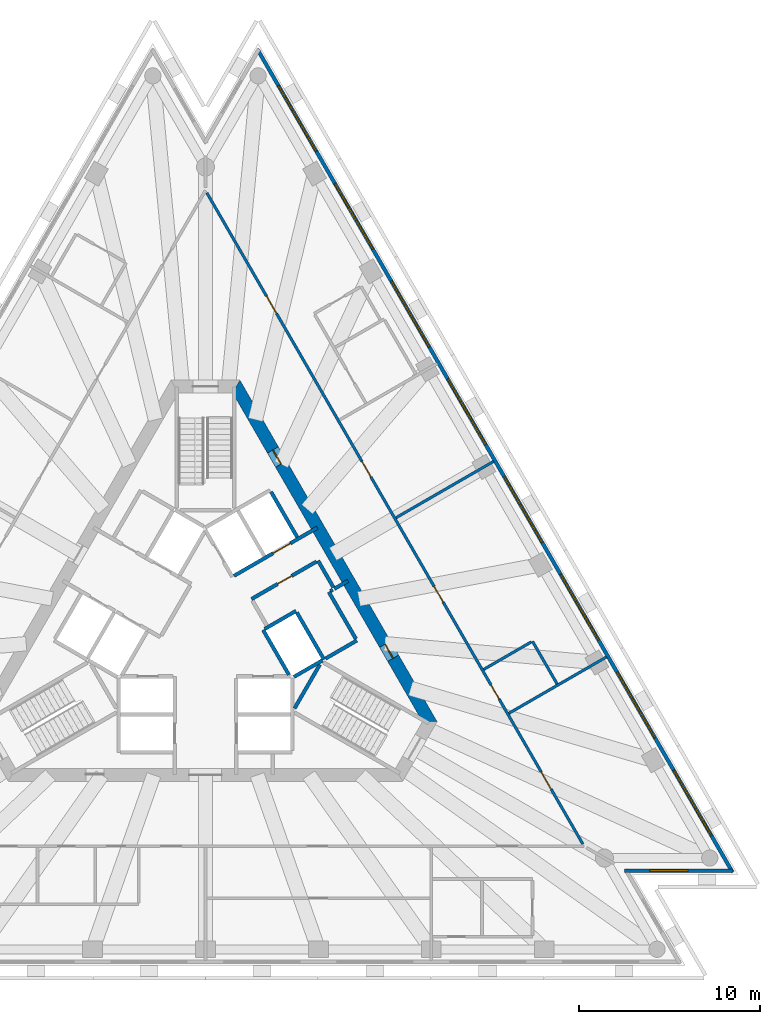
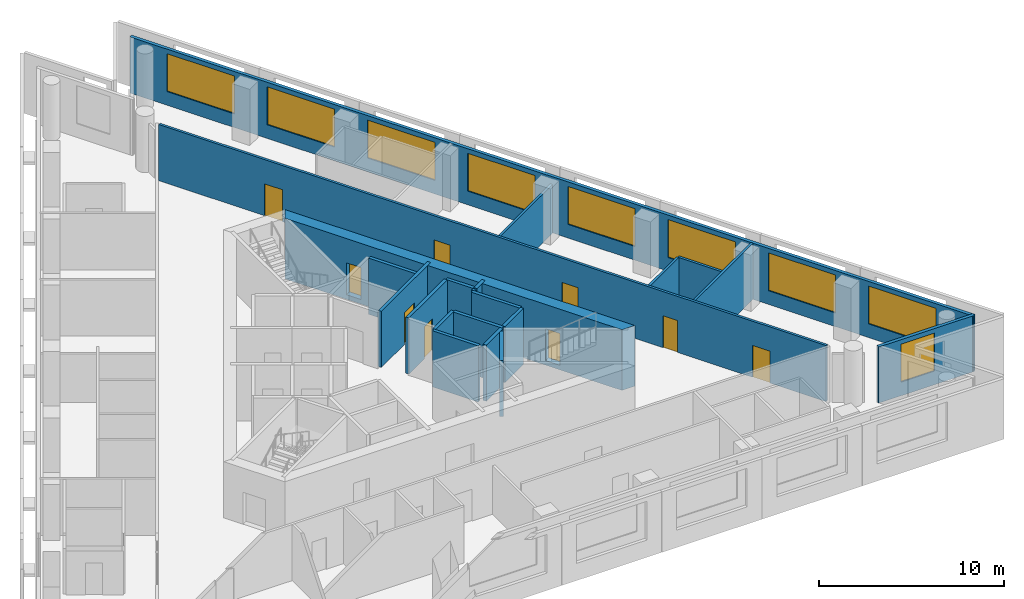
# One storey, part 6 of 10: 21 walls, 9 doors, 9 windows, 18 openings.
"""IFC4 building model written with IfcOpenShell, lengths in metres."""

from ifc_helpers import new_model, si_unit, direction, frame, frame_2d, origin, place, context, subcontext, project, spatial, polyline, rectangle, outline, extrude, material, layer, layer_set, layer_usage, type_object, element, fill, save


model = new_model("IFC4")

# Units and contexts
model_context = context("Model", 3, precision=1e-05, world=origin(), true_north=direction((0.0, 1.0)))
body_context = subcontext(model_context, "Body", "Model", "MODEL_VIEW")
ifc_project = project(units=[si_unit("LENGTHUNIT", "METRE"), si_unit("AREAUNIT", "SQUARE_METRE"), si_unit("VOLUMEUNIT", "CUBIC_METRE"), si_unit("PLANEANGLEUNIT", "RADIAN"), si_unit("MASSUNIT", "GRAM", prefix="KILO")], contexts=[model_context])

# Site, building, storey
site_placement = place(None, origin())
site = spatial("IfcSite", under=ifc_project, at=site_placement, CompositionType="ELEMENT")
building_placement = place(site_placement, origin())
building = spatial("IfcBuilding", under=site, at=building_placement, Name="Triada Interchange Tower", CompositionType="ELEMENT")
storey_placement = place(building_placement, frame((0.0, 0.0, 199.300048828125)))
storey = spatial("IfcBuildingStorey", under=building, at=storey_placement, Name="L46", CompositionType="ELEMENT", Elevation=199.300048828125)

# Wall
ifc_material_1 = material(Name="Concrete C30/37", Category="concrete")
ifc_layer_1 = layer(ifc_material_1, 0.199951171875)
ifc_layer_set_1 = layer_set([ifc_layer_1], Name="CORE WALL 200 EI 120")
wall_type_1 = type_object("IfcWallType", Name="CORE WALL 200 EI 120", PredefinedType="SOLIDWALL", material=ifc_layer_set_1)
wall_1_placement = place(storey_placement, frame((3.18994140625, -0.125, 0.0), z_axis=(0.0, 0.0, 1.0), x_axis=(0.499988658015, -0.866031951983, 0.0)))
element("IfcWall", 1, at=wall_1_placement, inside=storey, type_object=wall_type_1, Name="Wall L44 56", PredefinedType="SOLIDWALL", context=body_context, shape_type="SweptSolid", body=[
    extrude(rectangle(XDim=2.85791015625, YDim=0.199951171875, at=frame_2d((1.428955078125, 0.0))), origin(), (0.0, 0.0, 1.0), 3.699951171875),
])

# Wall, opening, door
wall_2_placement = place(storey_placement, frame((1.577880859375, 2.8740234375, 0.0), z_axis=(0.0, 0.0, 1.0), x_axis=(0.866045911672, 0.499964477614, 0.0)))
wall_2 = element("IfcWall", 2, at=wall_2_placement, inside=storey, type_object=wall_type_1, Name="Wall L44 57", PredefinedType="SOLIDWALL", context=body_context, shape_type="SweptSolid", body=[
    extrude(rectangle(XDim=5.32666015625, YDim=0.199951171875, at=frame_2d((2.663330078125, 0.0))), origin(), (0.0, 0.0, 1.0), 3.699951171875),
])
opening_1_placement = place(wall_2_placement, frame((2.49609375, 0.0, 0.0)))
opening_1 = element("IfcOpeningElement", 3, at=opening_1_placement, cuts=wall_2, Name="Opening LD-HR6", PredefinedType="OPENING", context=body_context, shape_type="SweptSolid", body=[
    extrude(rectangle(XDim=1.10009765625, YDim=2.10009765625, at=frame_2d((0.550048828125, 1.050048828125))), frame((0.0, 0.10986328125, 0.0), z_axis=(0.0, -1.0, 0.0), x_axis=(1.0, 0.0, 0.0)), (0.0, 0.0, 1.0), 0.219970703125),
])
ifc_material_2 = material(Name="Steel S235 door leaf", Category="steel")
door_type_1 = type_object("IfcDoorType", Name="LIFT LANDING DOOR 1100 EI 120", OperationType="SLIDING_TO_LEFT", PredefinedType="DOOR", material=ifc_material_2)
door_1_placement = place(opening_1_placement, origin())
door_1 = element("IfcDoor", 4, at=door_1_placement, inside=storey, type_object=door_type_1, Name="HR6 landing door L46", OperationType="SLIDING_TO_LEFT", OverallHeight=2.10009765625, OverallWidth=1.10009765625, PredefinedType="DOOR", context=body_context, shape_type="SweptSolid", body=[
    extrude(rectangle(XDim=1.10009765625, YDim=2.10009765625, at=frame_2d((0.550048828125, 1.050048828125))), frame((0.0, 0.02490234375, 0.0), z_axis=(0.0, -1.0, 0.0), x_axis=(1.0, 0.0, 0.0)), (0.0, 0.0, 1.0), 0.050048828125),
])
fill(opening_1, door_1)

# Walls
wall_3_placement = place(storey_placement, frame((3.278076171875, -0.071044921875, 0.0), z_axis=(0.0, 0.0, 1.0), x_axis=(0.865855657918, 0.500293893279, 0.0)))
element("IfcWall", 5, at=wall_3_placement, inside=storey, type_object=wall_type_1, Name="Wall L44 60", PredefinedType="SOLIDWALL", context=body_context, shape_type="SweptSolid", body=[
    extrude(rectangle(XDim=1.996826171875, YDim=0.199951171875, at=frame_2d((0.99853515625, 0.0))), origin(), (0.0, 0.0, 1.0), 3.699951171875),
])
wall_4_placement = place(storey_placement, frame((7.12890625, 2.153076171875, 0.0), z_axis=(0.0, 0.0, 1.0), x_axis=(0.866083962871, 0.499898558967, 0.0)))
element("IfcWall", 6, at=wall_4_placement, inside=storey, type_object=wall_type_1, Name="Wall L44 61", PredefinedType="SOLIDWALL", context=body_context, shape_type="SweptSolid", body=[
    extrude(rectangle(XDim=0.880126953125, YDim=0.199951171875, at=frame_2d((0.43994140625, 0.0))), origin(), (0.0, 0.0, 1.0), 3.699951171875),
])
wall_5_placement = place(storey_placement, frame((3.6259765625, 7.52001953125, 0.0), z_axis=(0.0, 0.0, 1.0), x_axis=(0.500060147554, -0.865990674793, 0.0)))
element("IfcWall", 7, at=wall_5_placement, inside=storey, type_object=wall_type_1, Name="Wall L44 62", PredefinedType="SOLIDWALL", context=body_context, shape_type="SweptSolid", body=[
    extrude(rectangle(XDim=2.899658203125, YDim=0.199951171875, at=frame_2d((1.44970703125, 0.0))), origin(), (0.0, 0.0, 1.0), 3.699951171875),
])
wall_6_placement = place(storey_placement, frame((5.056884765625, 0.841064453125, 0.0), z_axis=(0.0, 0.0, 1.0), x_axis=(0.499990139034, -0.866031096941, 0.0)))
element("IfcWall", 8, at=wall_6_placement, inside=storey, type_object=wall_type_1, Name="Wall L44 64", PredefinedType="SOLIDWALL", context=body_context, shape_type="SweptSolid", body=[
    extrude(rectangle(XDim=3.0, YDim=0.199951171875, at=frame_2d((1.5, 0.0))), origin(), (0.0, 0.0, 1.0), 3.699951171875),
])
wall_7_placement = place(storey_placement, frame((4.89990234375, -2.714111328125, 0.0), z_axis=(0.0, 0.0, 1.0), x_axis=(0.865846928409, 0.500309001083, 0.0)))
element("IfcWall", 9, at=wall_7_placement, inside=storey, type_object=wall_type_1, Name="Wall L44 65", PredefinedType="SOLIDWALL", context=body_context, shape_type="SweptSolid", body=[
    extrude(rectangle(XDim=1.813232421875, YDim=0.199951171875, at=frame_2d((0.90673828125, 0.0))), origin(), (0.0, 0.0, 1.0), 3.699951171875),
])
wall_8_placement = place(storey_placement, frame((6.22900390625, 3.7119140625, 0.0), z_axis=(0.0, 0.0, 1.0), x_axis=(0.499875724984, -0.86609714211, 0.0)))
element("IfcWall", 10, at=wall_8_placement, inside=storey, type_object=wall_type_1, Name="Wall L44 66", PredefinedType="SOLIDWALL", context=body_context, shape_type="SweptSolid", body=[
    extrude(rectangle(XDim=1.70068359375, YDim=0.199951171875, at=frame_2d((0.850341796875, 0.0))), origin(), (0.0, 0.0, 1.0), 3.699951171875),
])

# Wall, opening, door
wall_9_placement = place(storey_placement, frame((2.548095703125, 1.5869140625, 0.0), z_axis=(0.0, 0.0, 1.0), x_axis=(0.866004344652, 0.500036473714, 0.0)))
wall_9 = element("IfcWall", 11, at=wall_9_placement, inside=storey, type_object=wall_type_1, Name="Wall L44 67", PredefinedType="SOLIDWALL", context=body_context, shape_type="SweptSolid", body=[
    extrude(rectangle(XDim=4.150146484375, YDim=0.199951171875, at=frame_2d((2.0751953125, 0.0))), origin(), (0.0, 0.0, 1.0), 3.699951171875),
])
opening_2_placement = place(wall_9_placement, frame((1.675048828125, 0.0, 0.0)))
opening_2 = element("IfcOpeningElement", 12, at=opening_2_placement, cuts=wall_9, Name="Opening D44-47", PredefinedType="OPENING", context=body_context, shape_type="SweptSolid", body=[
    extrude(rectangle(XDim=0.89990234375, YDim=2.10009765625, at=frame_2d((0.449951171875, 1.050048828125))), frame((0.0, 0.10986328125, 0.0), z_axis=(0.0, -1.0, 0.0), x_axis=(1.0, 0.0, 0.0)), (0.0, 0.0, 1.0), 0.219970703125),
])
door_type_2 = type_object("IfcDoorType", Name="SERVICE DOOR 900 EI2 45-C5S200", OperationType="NOTDEFINED", PredefinedType="DOOR", material=ifc_material_2)
door_2_placement = place(opening_2_placement, origin())
door_2 = element("IfcDoor", 13, at=door_2_placement, inside=storey, type_object=door_type_2, Name="Door D44-47 L46", OperationType="SINGLE_SWING_RIGHT", OverallHeight=2.10009765625, OverallWidth=0.89990234375, PredefinedType="DOOR", context=body_context, shape_type="SweptSolid", body=[
    extrude(rectangle(XDim=0.89990234375, YDim=2.10009765625, at=frame_2d((0.449951171875, 1.050048828125))), frame((0.0, 0.02490234375, 0.0), z_axis=(0.0, -1.0, 0.0), x_axis=(1.0, 0.0, 0.0)), (0.0, 0.0, 1.0), 0.050048828125),
])
fill(opening_2, door_2)

# Walls
ifc_layer_2 = layer(ifc_material_1, 0.199951171875)
ifc_layer_set_2 = layer_set([ifc_layer_2], Name="CORE WALL 200 EI 90")
wall_type_2 = type_object("IfcWallType", Name="CORE WALL 200 EI 90", PredefinedType="SOLIDWALL", material=ifc_layer_set_2)
wall_10_placement = place(storey_placement, frame((6.64208984375, -1.7080078125, 0.0), z_axis=(0.0, 0.0, 1.0), x_axis=(0.866043441391, 0.499968756647, 0.0)))
element("IfcWall", 14, at=wall_10_placement, inside=storey, type_object=wall_type_2, Name="Wall L44 85", PredefinedType="SOLIDWALL", context=body_context, shape_type="SweptSolid", body=[
    extrude(rectangle(XDim=2.002197265625, YDim=0.199951171875, at=frame_2d((1.0009765625, 0.0))), origin(), (0.0, 0.0, 1.0), 3.699951171875),
])
wall_11_placement = place(storey_placement, frame((6.825927734375, 1.97802734375, 0.0), z_axis=(0.0, 0.0, 1.0), x_axis=(0.499990139034, -0.866031096941, 0.0)))
element("IfcWall", 15, at=wall_11_placement, inside=storey, type_object=wall_type_2, Name="Wall L44 86", PredefinedType="SOLIDWALL", context=body_context, shape_type="SweptSolid", body=[
    extrude(rectangle(XDim=3.0, YDim=0.199951171875, at=frame_2d((1.5, 0.0))), origin(), (0.0, 0.0, 1.0), 3.699951171875),
])
wall_12_placement = place(storey_placement, frame((6.912109375, 2.028076171875, 0.0), z_axis=(0.0, 0.0, 1.0), x_axis=(0.866559367082, 0.499074005857, 0.0)))
element("IfcWall", 16, at=wall_12_placement, inside=storey, type_object=wall_type_2, Name="Wall L44 87", PredefinedType="SOLIDWALL", context=body_context, shape_type="SweptSolid", body=[
    extrude(rectangle(XDim=0.152099609375, YDim=0.199951171875, at=frame_2d((0.076171875, 0.0))), origin(), (0.0, 0.0, 1.0), 3.699951171875),
])
ifc_layer_3 = layer(ifc_material_1, 0.199951171875)
ifc_layer_set_3 = layer_set([ifc_layer_3], Name="CORE WALL 200 REI 240")
wall_type_3 = type_object("IfcWallType", Name="CORE WALL 200 REI 240", PredefinedType="SOLIDWALL", material=ifc_layer_set_3)
wall_13_placement = place(storey_placement, frame((4.928955078125, -4.4619140625, 0.0), z_axis=(0.0, 0.0, 1.0), x_axis=(0.500200581029, 0.865909567298, 0.0)))
element("IfcWall", 17, at=wall_13_placement, inside=storey, type_object=wall_type_3, Name="Wall L44 95", PredefinedType="SOLIDWALL", context=body_context, shape_type="SweptSolid", body=[
    extrude(rectangle(XDim=2.799072265625, YDim=0.199951171875, at=frame_2d((1.3994140625, 0.0))), origin(), (0.0, 0.0, 1.0), 3.699951171875),
])

# Wall, openings, doors
ifc_material_3 = material(Name="Concrete C50/60", Category="concrete")
ifc_layer_4 = layer(ifc_material_3, 0.699951171875)
ifc_layer_set_4 = layer_set([ifc_layer_4], Name="Core wall C 700")
wall_type_4 = type_object("IfcWallType", Name="Core wall C 700", PredefinedType="SHEAR", material=ifc_layer_set_4)
wall_14_placement = place(storey_placement, frame((12.4130859375, -5.199951171875, -0.300048828125), z_axis=(0.0, 0.0, 1.0), x_axis=(-0.500011533395, 0.866018744874, 0.0)))
wall_14 = element("IfcWall", 18, at=wall_14_placement, inside=storey, type_object=wall_type_4, Name="Core wall WC06 L46", PredefinedType="SHEAR", context=body_context, shape_type="SweptSolid", body=[
    extrude(outline(polyline([(-0.201904296875, -0.35009765625), (1.781982421875, -0.35009765625), (3.76611328125, -0.35009765625), (5.75, -0.35009765625), (7.734130859375, -0.35009765625), (9.718017578125, -0.35009765625), (11.7021484375, -0.35009765625), (13.68603515625, -0.35009765625), (15.670166015625, -0.35009765625), (17.654052734375, -0.35009765625), (19.63818359375, -0.35009765625), (21.6220703125, -0.35009765625), (21.218017578125, 0.35009765625), (19.307373046875, 0.35009765625), (17.39697265625, 0.35009765625), (15.486328125, 0.35009765625), (13.57568359375, 0.35009765625), (11.665283203125, 0.35009765625), (9.754638671875, 0.35009765625), (7.84423828125, 0.35009765625), (5.93359375, 0.35009765625), (4.02294921875, 0.35009765625), (2.112548828125, 0.35009765625), (0.201904296875, 0.35009765625), (-0.201904296875, -0.35009765625)])), origin(), (0.0, 0.0, 1.0), 4.0),
])
opening_3_placement = place(wall_14_placement, frame((4.054931640625, 0.0, 0.300048828125)))
opening_3 = element("IfcOpeningElement", 19, at=opening_3_placement, cuts=wall_14, Name="Opening D44-45", PredefinedType="OPENING", context=body_context, shape_type="SweptSolid", body=[
    extrude(rectangle(XDim=0.89990234375, YDim=2.10009765625, at=frame_2d((0.449951171875, 1.050048828125))), frame((0.0, 0.360107421875, 0.0), z_axis=(0.0, -1.0, 0.0), x_axis=(1.0, 0.0, 0.0)), (0.0, 0.0, 1.0), 0.72021484375),
])
opening_4_placement = place(wall_14_placement, frame((16.465087890625, 0.0, 0.300048828125)))
opening_4 = element("IfcOpeningElement", 20, at=opening_4_placement, cuts=wall_14, Name="Opening D44-46", PredefinedType="OPENING", context=body_context, shape_type="SweptSolid", body=[
    extrude(rectangle(XDim=0.89990234375, YDim=2.10009765625, at=frame_2d((0.449951171875, 1.050048828125))), frame((0.0, 0.360107421875, 0.0), z_axis=(0.0, -1.0, 0.0), x_axis=(1.0, 0.0, 0.0)), (0.0, 0.0, 1.0), 0.72021484375),
])
door_type_3 = type_object("IfcDoorType", Name="RISER ACCESS DOOR 900 EI2 45-C5S200", OperationType="NOTDEFINED", PredefinedType="DOOR", material=ifc_material_2)
door_3_placement = place(opening_4_placement, origin())
door_3 = element("IfcDoor", 21, at=door_3_placement, inside=storey, type_object=door_type_3, Name="Door D44-46 L46", OperationType="SINGLE_SWING_RIGHT", OverallHeight=2.10009765625, OverallWidth=0.89990234375, PredefinedType="DOOR", context=body_context, shape_type="SweptSolid", body=[
    extrude(rectangle(XDim=0.89990234375, YDim=2.10009765625, at=frame_2d((0.449951171875, 1.050048828125))), frame((0.0, 0.02490234375, 0.0), z_axis=(0.0, -1.0, 0.0), x_axis=(1.0, 0.0, 0.0)), (0.0, 0.0, 1.0), 0.050048828125),
])
fill(opening_4, door_3)
door_4_placement = place(opening_3_placement, origin())
door_4 = element("IfcDoor", 22, at=door_4_placement, inside=storey, type_object=door_type_2, Name="Door D44-45 L46", OperationType="SINGLE_SWING_RIGHT", OverallHeight=2.10009765625, OverallWidth=0.89990234375, PredefinedType="DOOR", context=body_context, shape_type="SweptSolid", body=[
    extrude(rectangle(XDim=0.89990234375, YDim=2.10009765625, at=frame_2d((0.449951171875, 1.050048828125))), frame((0.0, 0.02490234375, 0.0), z_axis=(0.0, -1.0, 0.0), x_axis=(1.0, 0.0, 0.0)), (0.0, 0.0, 1.0), 0.050048828125),
])
fill(opening_3, door_4)

# Wall, opening, window
ifc_material_4 = material(Name="Cement board")
ifc_layer_5 = layer(ifc_material_4, 0.02001953125, Name="Cement board cladding")
ifc_material_5 = material(Name="Sheathing board")
ifc_layer_6 = layer(ifc_material_5, 0.014892578125, Name="Sheathing board")
ifc_material_6 = material(Name="Mineral wool")
ifc_layer_7 = layer(ifc_material_6, 0.14990234375, Name="Mineral wool between steel studs")
ifc_material_7 = material(Name="Gypsum board")
ifc_layer_8 = layer(ifc_material_7, 0.014892578125, Name="Plasterboard lining")
ifc_layer_set_5 = layer_set([ifc_layer_5, ifc_layer_6, ifc_layer_7, ifc_layer_8], Name="External wall 200")
ifc_layer_usage = layer_usage(ifc_layer_set_5, "AXIS2", "POSITIVE", -0.10009765625)
wall_type_5 = type_object("IfcWallType", Name="External wall 200", PredefinedType="ELEMENTEDWALL", material=ifc_layer_set_5)
wall_15_placement = place(storey_placement, frame((23.201904296875, -13.447021484375, 0.0), z_axis=(0.0, 0.0, 1.0), x_axis=(1.0, 0.0, 0.0)))
wall_15 = element("IfcWall", 23, at=wall_15_placement, inside=storey, type_object=wall_type_5, material=ifc_layer_usage, Name="External wall L46 SE-2", PredefinedType="ELEMENTEDWALL", context=body_context, shape_type="SweptSolid", body=[
    extrude(rectangle(XDim=5.988037109375, YDim=0.199951171875, at=frame_2d((2.994140625, 0.0))), origin(), (0.0, 0.0, 1.0), 3.699951171875),
])
opening_5_placement = place(wall_15_placement, frame((1.389892578125, 0.0, 0.89990234375)))
opening_5 = element("IfcOpeningElement", 24, at=opening_5_placement, cuts=wall_15, Name="Opening WC20", PredefinedType="OPENING", context=body_context, shape_type="SweptSolid", body=[
    extrude(rectangle(XDim=2.10009765625, YDim=2.5, at=frame_2d((1.050048828125, 1.25))), frame((0.0, 0.10986328125, 0.0), z_axis=(0.0, -1.0, 0.0), x_axis=(1.0, 0.0, 0.0)), (0.0, 0.0, 1.0), 0.219970703125),
])
ifc_material_8 = material(Name="Double glazed aluminium window", Category="aluminium")
window_type_1 = type_object("IfcWindowType", Name="Ribbon window C pocket", PartitioningType="SINGLE_PANEL", PredefinedType="WINDOW", material=ifc_material_8)
window_1_placement = place(opening_5_placement, origin())
window_1 = element("IfcWindow", 25, at=window_1_placement, inside=storey, type_object=window_type_1, Name="Window L46 SE-2 1", OverallHeight=2.5, OverallWidth=2.10009765625, PartitioningType="SINGLE_PANEL", PredefinedType="WINDOW", context=body_context, shape_type="SweptSolid", body=[
    extrude(rectangle(XDim=2.10009765625, YDim=2.5, at=frame_2d((1.050048828125, 1.25))), frame((0.0, 0.030029296875, 0.0), z_axis=(0.0, -1.0, 0.0), x_axis=(1.0, 0.0, 0.0)), (0.0, 0.0, 1.0), 0.06005859375),
])
fill(opening_5, window_1)

# Wall, openings, windows
wall_16_placement = place(storey_placement, frame((29.1650390625, -13.52490234375, 0.0), z_axis=(0.0, 0.0, 1.0), x_axis=(-0.500008941164, 0.86602024154, 0.0)))
wall_16 = element("IfcWall", 26, at=wall_16_placement, inside=storey, type_object=wall_type_5, material=ifc_layer_usage, Name="External wall L46 NE", PredefinedType="ELEMENTEDWALL", context=body_context, shape_type="SweptSolid", body=[
    extrude(rectangle(XDim=52.5712890625, YDim=0.199951171875, at=frame_2d((26.28564453125, 0.0))), origin(), (0.0, 0.0, 1.0), 3.699951171875),
])
opening_6_placement = place(wall_16_placement, frame((2.326904296875, 0.0, 0.89990234375)))
opening_6 = element("IfcOpeningElement", 27, at=opening_6_placement, cuts=wall_16, Name="Opening WC21", PredefinedType="OPENING", context=body_context, shape_type="SweptSolid", body=[
    extrude(rectangle(XDim=4.199951171875, YDim=2.5, at=frame_2d((2.10009765625, 1.25))), frame((0.0, 0.10986328125, 0.0), z_axis=(0.0, -1.0, 0.0), x_axis=(1.0, 0.0, 0.0)), (0.0, 0.0, 1.0), 0.219970703125),
])
opening_7_placement = place(wall_16_placement, frame((8.574951171875, 0.0, 0.89990234375)))
opening_7 = element("IfcOpeningElement", 28, at=opening_7_placement, cuts=wall_16, Name="Opening WC22", PredefinedType="OPENING", context=body_context, shape_type="SweptSolid", body=[
    extrude(rectangle(XDim=4.199951171875, YDim=2.5, at=frame_2d((2.10009765625, 1.25))), frame((0.0, 0.10986328125, 0.0), z_axis=(0.0, -1.0, 0.0), x_axis=(1.0, 0.0, 0.0)), (0.0, 0.0, 1.0), 0.219970703125),
])
opening_8_placement = place(wall_16_placement, frame((14.822998046875, 0.0, 0.89990234375)))
opening_8 = element("IfcOpeningElement", 29, at=opening_8_placement, cuts=wall_16, Name="Opening WC23", PredefinedType="OPENING", context=body_context, shape_type="SweptSolid", body=[
    extrude(rectangle(XDim=4.199951171875, YDim=2.5, at=frame_2d((2.10009765625, 1.25))), frame((0.0, 0.10986328125, 0.0), z_axis=(0.0, -1.0, 0.0), x_axis=(1.0, 0.0, 0.0)), (0.0, 0.0, 1.0), 0.219970703125),
])
opening_9_placement = place(wall_16_placement, frame((21.072021484375, 0.0, 0.89990234375)))
opening_9 = element("IfcOpeningElement", 30, at=opening_9_placement, cuts=wall_16, Name="Opening WC24", PredefinedType="OPENING", context=body_context, shape_type="SweptSolid", body=[
    extrude(rectangle(XDim=4.199951171875, YDim=2.5, at=frame_2d((2.10009765625, 1.25))), frame((0.0, 0.10986328125, 0.0), z_axis=(0.0, -1.0, 0.0), x_axis=(1.0, 0.0, 0.0)), (0.0, 0.0, 1.0), 0.219970703125),
])
opening_10_placement = place(wall_16_placement, frame((27.320068359375, 0.0, 0.89990234375)))
opening_10 = element("IfcOpeningElement", 31, at=opening_10_placement, cuts=wall_16, Name="Opening WC25", PredefinedType="OPENING", context=body_context, shape_type="SweptSolid", body=[
    extrude(rectangle(XDim=4.199951171875, YDim=2.5, at=frame_2d((2.10009765625, 1.25))), frame((0.0, 0.10986328125, 0.0), z_axis=(0.0, -1.0, 0.0), x_axis=(1.0, 0.0, 0.0)), (0.0, 0.0, 1.0), 0.219970703125),
])
opening_11_placement = place(wall_16_placement, frame((33.568115234375, 0.0, 0.89990234375)))
opening_11 = element("IfcOpeningElement", 32, at=opening_11_placement, cuts=wall_16, Name="Opening WC26", PredefinedType="OPENING", context=body_context, shape_type="SweptSolid", body=[
    extrude(rectangle(XDim=4.199951171875, YDim=2.5, at=frame_2d((2.10009765625, 1.25))), frame((0.0, 0.10986328125, 0.0), z_axis=(0.0, -1.0, 0.0), x_axis=(1.0, 0.0, 0.0)), (0.0, 0.0, 1.0), 0.219970703125),
])
opening_12_placement = place(wall_16_placement, frame((39.81591796875, 0.0, 0.89990234375)))
opening_12 = element("IfcOpeningElement", 33, at=opening_12_placement, cuts=wall_16, Name="Opening WC27", PredefinedType="OPENING", context=body_context, shape_type="SweptSolid", body=[
    extrude(rectangle(XDim=4.199951171875, YDim=2.5, at=frame_2d((2.10009765625, 1.25))), frame((0.0, 0.10986328125, 0.0), z_axis=(0.0, -1.0, 0.0), x_axis=(1.0, 0.0, 0.0)), (0.0, 0.0, 1.0), 0.219970703125),
])
opening_13_placement = place(wall_16_placement, frame((46.06396484375, 0.0, 0.89990234375)))
opening_13 = element("IfcOpeningElement", 34, at=opening_13_placement, cuts=wall_16, Name="Opening WC28", PredefinedType="OPENING", context=body_context, shape_type="SweptSolid", body=[
    extrude(rectangle(XDim=4.199951171875, YDim=2.5, at=frame_2d((2.10009765625, 1.25))), frame((0.0, 0.10986328125, 0.0), z_axis=(0.0, -1.0, 0.0), x_axis=(1.0, 0.0, 0.0)), (0.0, 0.0, 1.0), 0.219970703125),
])
window_type_2 = type_object("IfcWindowType", Name="Ribbon window C face", PartitioningType="SINGLE_PANEL", PredefinedType="WINDOW", material=ifc_material_8)
window_2_placement = place(opening_6_placement, origin())
window_2 = element("IfcWindow", 35, at=window_2_placement, inside=storey, type_object=window_type_2, Name="Window L46 NE 1", OverallHeight=2.5, OverallWidth=4.199951171875, PartitioningType="SINGLE_PANEL", PredefinedType="WINDOW", context=body_context, shape_type="SweptSolid", body=[
    extrude(rectangle(XDim=4.199951171875, YDim=2.5, at=frame_2d((2.10009765625, 1.25))), frame((0.0, 0.030029296875, 0.0), z_axis=(0.0, -1.0, 0.0), x_axis=(1.0, 0.0, 0.0)), (0.0, 0.0, 1.0), 0.06005859375),
])
fill(opening_6, window_2)
window_3_placement = place(opening_7_placement, origin())
window_3 = element("IfcWindow", 36, at=window_3_placement, inside=storey, type_object=window_type_2, Name="Window L46 NE 2", OverallHeight=2.5, OverallWidth=4.199951171875, PartitioningType="SINGLE_PANEL", PredefinedType="WINDOW", context=body_context, shape_type="SweptSolid", body=[
    extrude(rectangle(XDim=4.199951171875, YDim=2.5, at=frame_2d((2.10009765625, 1.25))), frame((0.0, 0.030029296875, 0.0), z_axis=(0.0, -1.0, 0.0), x_axis=(1.0, 0.0, 0.0)), (0.0, 0.0, 1.0), 0.06005859375),
])
fill(opening_7, window_3)
window_4_placement = place(opening_8_placement, origin())
window_4 = element("IfcWindow", 37, at=window_4_placement, inside=storey, type_object=window_type_2, Name="Window L46 NE 3", OverallHeight=2.5, OverallWidth=4.199951171875, PartitioningType="SINGLE_PANEL", PredefinedType="WINDOW", context=body_context, shape_type="SweptSolid", body=[
    extrude(rectangle(XDim=4.199951171875, YDim=2.5, at=frame_2d((2.10009765625, 1.25))), frame((0.0, 0.030029296875, 0.0), z_axis=(0.0, -1.0, 0.0), x_axis=(1.0, 0.0, 0.0)), (0.0, 0.0, 1.0), 0.06005859375),
])
fill(opening_8, window_4)
window_5_placement = place(opening_9_placement, origin())
window_5 = element("IfcWindow", 38, at=window_5_placement, inside=storey, type_object=window_type_2, Name="Window L46 NE 4", OverallHeight=2.5, OverallWidth=4.199951171875, PartitioningType="SINGLE_PANEL", PredefinedType="WINDOW", context=body_context, shape_type="SweptSolid", body=[
    extrude(rectangle(XDim=4.199951171875, YDim=2.5, at=frame_2d((2.10009765625, 1.25))), frame((0.0, 0.030029296875, 0.0), z_axis=(0.0, -1.0, 0.0), x_axis=(1.0, 0.0, 0.0)), (0.0, 0.0, 1.0), 0.06005859375),
])
fill(opening_9, window_5)
window_6_placement = place(opening_10_placement, origin())
window_6 = element("IfcWindow", 39, at=window_6_placement, inside=storey, type_object=window_type_2, Name="Window L46 NE 5", OverallHeight=2.5, OverallWidth=4.199951171875, PartitioningType="SINGLE_PANEL", PredefinedType="WINDOW", context=body_context, shape_type="SweptSolid", body=[
    extrude(rectangle(XDim=4.199951171875, YDim=2.5, at=frame_2d((2.10009765625, 1.25))), frame((0.0, 0.030029296875, 0.0), z_axis=(0.0, -1.0, 0.0), x_axis=(1.0, 0.0, 0.0)), (0.0, 0.0, 1.0), 0.06005859375),
])
fill(opening_10, window_6)
window_7_placement = place(opening_11_placement, origin())
window_7 = element("IfcWindow", 40, at=window_7_placement, inside=storey, type_object=window_type_2, Name="Window L46 NE 6", OverallHeight=2.5, OverallWidth=4.199951171875, PartitioningType="SINGLE_PANEL", PredefinedType="WINDOW", context=body_context, shape_type="SweptSolid", body=[
    extrude(rectangle(XDim=4.199951171875, YDim=2.5, at=frame_2d((2.10009765625, 1.25))), frame((0.0, 0.030029296875, 0.0), z_axis=(0.0, -1.0, 0.0), x_axis=(1.0, 0.0, 0.0)), (0.0, 0.0, 1.0), 0.06005859375),
])
fill(opening_11, window_7)
window_8_placement = place(opening_12_placement, origin())
window_8 = element("IfcWindow", 41, at=window_8_placement, inside=storey, type_object=window_type_2, Name="Window L46 NE 7", OverallHeight=2.5, OverallWidth=4.199951171875, PartitioningType="SINGLE_PANEL", PredefinedType="WINDOW", context=body_context, shape_type="SweptSolid", body=[
    extrude(rectangle(XDim=4.199951171875, YDim=2.5, at=frame_2d((2.10009765625, 1.25))), frame((0.0, 0.030029296875, 0.0), z_axis=(0.0, -1.0, 0.0), x_axis=(1.0, 0.0, 0.0)), (0.0, 0.0, 1.0), 0.06005859375),
])
fill(opening_12, window_8)
window_9_placement = place(opening_13_placement, origin())
window_9 = element("IfcWindow", 42, at=window_9_placement, inside=storey, type_object=window_type_2, Name="Window L46 NE 8", OverallHeight=2.5, OverallWidth=4.199951171875, PartitioningType="SINGLE_PANEL", PredefinedType="WINDOW", context=body_context, shape_type="SweptSolid", body=[
    extrude(rectangle(XDim=4.199951171875, YDim=2.5, at=frame_2d((2.10009765625, 1.25))), frame((0.0, 0.030029296875, 0.0), z_axis=(0.0, -1.0, 0.0), x_axis=(1.0, 0.0, 0.0)), (0.0, 0.0, 1.0), 0.06005859375),
])
fill(opening_13, window_9)

# Wall
ifc_material_9 = material(Name="Gypsum board partition")
ifc_layer_9 = layer(ifc_material_9, 0.14990234375)
ifc_layer_set_6 = layer_set([ifc_layer_9], Name="PARTITION 150 EI 180")
wall_type_6 = type_object("IfcWallType", Name="PARTITION 150 EI 180", PredefinedType="PARTITIONING", material=ifc_layer_set_6)
wall_17_placement = place(storey_placement, frame((10.5439453125, 6.0869140625, 0.0), z_axis=(0.0, 0.0, 1.0), x_axis=(0.86601944389, 0.500010322698, 0.0)))
element("IfcWall", 43, at=wall_17_placement, inside=storey, type_object=wall_type_6, Name="Wall L44 2", PredefinedType="PARTITIONING", context=body_context, shape_type="SweptSolid", body=[
    extrude(rectangle(XDim=6.239990234375, YDim=0.14990234375, at=frame_2d((3.1201171875, 0.0))), origin(), (0.0, 0.0, 1.0), 3.199951171875),
])

# Wall, openings, doors
wall_18_placement = place(storey_placement, frame((0.074951171875, 24.070068359375, 0.0), z_axis=(0.0, 0.0, 1.0), x_axis=(0.49999939571, -0.866025752671, 0.0)))
wall_18 = element("IfcWall", 44, at=wall_18_placement, inside=storey, type_object=wall_type_6, Name="Wall L44 21", PredefinedType="PARTITIONING", context=body_context, shape_type="SweptSolid", body=[
    extrude(rectangle(XDim=41.6142578125, YDim=0.14990234375, at=frame_2d((20.80712890625, 0.0))), origin(), (0.0, 0.0, 1.0), 3.699951171875),
])
opening_14_placement = place(wall_18_placement, frame((37.014892578125, 0.0, 0.0)))
opening_14 = element("IfcOpeningElement", 45, at=opening_14_placement, cuts=wall_18, Name="Opening D44-21", PredefinedType="OPENING", context=body_context, shape_type="SweptSolid", body=[
    extrude(rectangle(XDim=1.10009765625, YDim=2.10009765625, at=frame_2d((0.550048828125, 1.050048828125))), frame((0.0, 0.0849609375, 0.0), z_axis=(0.0, -1.0, 0.0), x_axis=(1.0, 0.0, 0.0)), (0.0, 0.0, 1.0), 0.169921875),
])
opening_15_placement = place(wall_18_placement, frame((25.154052734375, 0.0, 0.0)))
opening_15 = element("IfcOpeningElement", 46, at=opening_15_placement, cuts=wall_18, Name="Opening D44-22", PredefinedType="OPENING", context=body_context, shape_type="SweptSolid", body=[
    extrude(rectangle(XDim=1.0, YDim=2.10009765625, at=frame_2d((0.5, 1.050048828125))), frame((0.0, 0.0849609375, 0.0), z_axis=(0.0, -1.0, 0.0), x_axis=(1.0, 0.0, 0.0)), (0.0, 0.0, 1.0), 0.169921875),
])
opening_16_placement = place(wall_18_placement, frame((31.4541015625, 0.0, 0.0)))
opening_16 = element("IfcOpeningElement", 47, at=opening_16_placement, cuts=wall_18, Name="Opening D44-23", PredefinedType="OPENING", context=body_context, shape_type="SweptSolid", body=[
    extrude(rectangle(XDim=0.89990234375, YDim=2.10009765625, at=frame_2d((0.449951171875, 1.050048828125))), frame((0.0, 0.0849609375, 0.0), z_axis=(0.0, -1.0, 0.0), x_axis=(1.0, 0.0, 0.0)), (0.0, 0.0, 1.0), 0.169921875),
])
opening_17_placement = place(wall_18_placement, frame((17.156982421875, 0.0, 0.0)))
opening_17 = element("IfcOpeningElement", 48, at=opening_17_placement, cuts=wall_18, Name="Opening D44-24", PredefinedType="OPENING", context=body_context, shape_type="SweptSolid", body=[
    extrude(rectangle(XDim=1.0, YDim=2.10009765625, at=frame_2d((0.5, 1.050048828125))), frame((0.0, 0.0849609375, 0.0), z_axis=(0.0, -1.0, 0.0), x_axis=(1.0, 0.0, 0.0)), (0.0, 0.0, 1.0), 0.169921875),
])
opening_18_placement = place(wall_18_placement, frame((6.60888671875, 0.0, 0.0)))
opening_18 = element("IfcOpeningElement", 49, at=opening_18_placement, cuts=wall_18, Name="Opening D44-25", PredefinedType="OPENING", context=body_context, shape_type="SweptSolid", body=[
    extrude(rectangle(XDim=1.10009765625, YDim=2.10009765625, at=frame_2d((0.550048828125, 1.050048828125))), frame((0.0, 0.0849609375, 0.0), z_axis=(0.0, -1.0, 0.0), x_axis=(1.0, 0.0, 0.0)), (0.0, 0.0, 1.0), 0.169921875),
])
door_type_4 = type_object("IfcDoorType", Name="ROOM DOOR 1000 EI2 90-C5S200", OperationType="NOTDEFINED", PredefinedType="DOOR", material=ifc_material_2)
door_5_placement = place(opening_15_placement, origin())
door_5 = element("IfcDoor", 50, at=door_5_placement, inside=storey, type_object=door_type_4, Name="Door D44-22 L46", OperationType="SINGLE_SWING_RIGHT", OverallHeight=2.10009765625, OverallWidth=1.0, PredefinedType="DOOR", context=body_context, shape_type="SweptSolid", body=[
    extrude(rectangle(XDim=1.0, YDim=2.10009765625, at=frame_2d((0.5, 1.050048828125))), frame((0.0, 0.02490234375, 0.0), z_axis=(0.0, -1.0, 0.0), x_axis=(1.0, 0.0, 0.0)), (0.0, 0.0, 1.0), 0.050048828125),
])
fill(opening_15, door_5)
door_6_placement = place(opening_17_placement, origin())
door_6 = element("IfcDoor", 51, at=door_6_placement, inside=storey, type_object=door_type_4, Name="Door D44-24 L46", OperationType="SINGLE_SWING_RIGHT", OverallHeight=2.10009765625, OverallWidth=1.0, PredefinedType="DOOR", context=body_context, shape_type="SweptSolid", body=[
    extrude(rectangle(XDim=1.0, YDim=2.10009765625, at=frame_2d((0.5, 1.050048828125))), frame((0.0, 0.02490234375, 0.0), z_axis=(0.0, -1.0, 0.0), x_axis=(1.0, 0.0, 0.0)), (0.0, 0.0, 1.0), 0.050048828125),
])
fill(opening_17, door_6)
door_type_5 = type_object("IfcDoorType", Name="ROOM DOOR 900 EI2 90-C5S200", OperationType="NOTDEFINED", PredefinedType="DOOR", material=ifc_material_2)
door_7_placement = place(opening_16_placement, origin())
door_7 = element("IfcDoor", 52, at=door_7_placement, inside=storey, type_object=door_type_5, Name="Door D44-23 L46", OperationType="SINGLE_SWING_RIGHT", OverallHeight=2.10009765625, OverallWidth=0.89990234375, PredefinedType="DOOR", context=body_context, shape_type="SweptSolid", body=[
    extrude(rectangle(XDim=0.89990234375, YDim=2.10009765625, at=frame_2d((0.449951171875, 1.050048828125))), frame((0.0, 0.02490234375, 0.0), z_axis=(0.0, -1.0, 0.0), x_axis=(1.0, 0.0, 0.0)), (0.0, 0.0, 1.0), 0.050048828125),
])
fill(opening_16, door_7)
door_type_6 = type_object("IfcDoorType", Name="TENANCY ENTRANCE DOOR 1100 EI2 90-C5S200", OperationType="NOTDEFINED", PredefinedType="DOOR", material=ifc_material_2)
door_8_placement = place(opening_14_placement, origin())
door_8 = element("IfcDoor", 53, at=door_8_placement, inside=storey, type_object=door_type_6, Name="Door D44-21 L46", OperationType="SINGLE_SWING_RIGHT", OverallHeight=2.10009765625, OverallWidth=1.10009765625, PredefinedType="DOOR", context=body_context, shape_type="SweptSolid", body=[
    extrude(rectangle(XDim=1.10009765625, YDim=2.10009765625, at=frame_2d((0.550048828125, 1.050048828125))), frame((0.0, 0.02490234375, 0.0), z_axis=(0.0, -1.0, 0.0), x_axis=(1.0, 0.0, 0.0)), (0.0, 0.0, 1.0), 0.050048828125),
])
fill(opening_14, door_8)
door_9_placement = place(opening_18_placement, origin())
door_9 = element("IfcDoor", 54, at=door_9_placement, inside=storey, type_object=door_type_6, Name="Door D44-25 L46", OperationType="SINGLE_SWING_LEFT", OverallHeight=2.10009765625, OverallWidth=1.10009765625, PredefinedType="DOOR", context=body_context, shape_type="SweptSolid", body=[
    extrude(rectangle(XDim=1.10009765625, YDim=2.10009765625, at=frame_2d((0.550048828125, 1.050048828125))), frame((0.0, 0.02490234375, 0.0), z_axis=(0.0, -1.0, 0.0), x_axis=(1.0, 0.0, 0.0)), (0.0, 0.0, 1.0), 0.050048828125),
])
fill(opening_18, door_9)

# Walls
wall_19_placement = place(storey_placement, frame((18.095947265625, -0.7490234375, 0.0), z_axis=(0.0, 0.0, 1.0), x_axis=(0.500156697144, -0.865934915743, 0.0)))
element("IfcWall", 55, at=wall_19_placement, inside=storey, type_object=wall_type_6, Name="Wall L44 24", PredefinedType="PARTITIONING", context=body_context, shape_type="SweptSolid", body=[
    extrude(rectangle(XDim=2.725341796875, YDim=0.14990234375, at=frame_2d((1.36279296875, 0.0))), origin(), (0.0, 0.0, 1.0), 3.699951171875),
])
wall_20_placement = place(storey_placement, frame((15.39208984375, -2.31005859375, 0.0), z_axis=(0.0, 0.0, 1.0), x_axis=(0.865941409278, 0.50014545454, 0.0)))
element("IfcWall", 56, at=wall_20_placement, inside=storey, type_object=wall_type_6, Name="Wall L44 25", PredefinedType="PARTITIONING", context=body_context, shape_type="SweptSolid", body=[
    extrude(rectangle(XDim=3.04736328125, YDim=0.14990234375, at=frame_2d((1.523681640625, 0.0))), origin(), (0.0, 0.0, 1.0), 3.699951171875),
])
wall_21_placement = place(storey_placement, frame((16.7919921875, -4.735107421875, 0.0), z_axis=(0.0, 0.0, 1.0), x_axis=(0.86601944389, 0.500010322698, 0.0)))
element("IfcWall", 57, at=wall_21_placement, inside=storey, type_object=wall_type_6, Name="Wall L44 26", PredefinedType="PARTITIONING", context=body_context, shape_type="SweptSolid", body=[
    extrude(rectangle(XDim=6.239990234375, YDim=0.14990234375, at=frame_2d((3.1201171875, 0.0))), origin(), (0.0, 0.0, 1.0), 3.699951171875),
])

save(model, "model.ifc")
